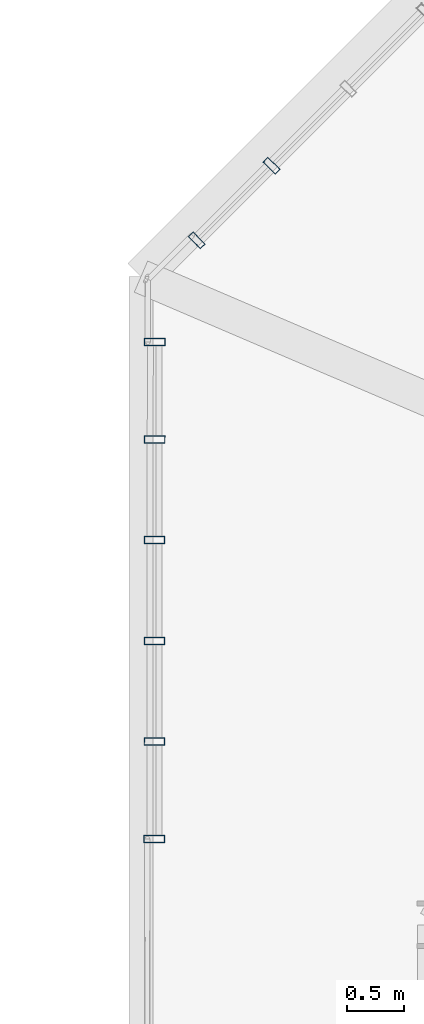
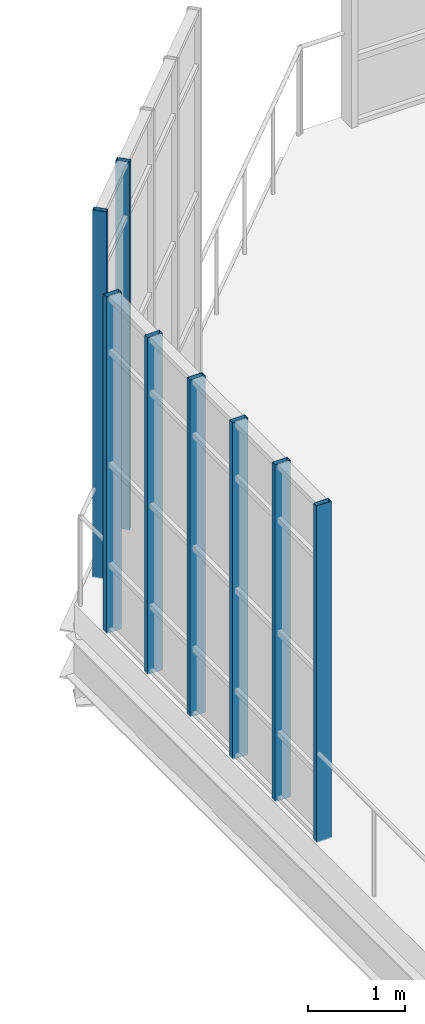
# One storey, part 39 of 189: 8 members, 2 elements without a shape of their own.
"""IFC4 building model written with IfcOpenShell, lengths in metres."""

from ifc_helpers import new_model, si_unit, direction, frame, origin, origin_2d, place, context, subcontext, project, spatial, hollow_rectangle, extrude, material, layer, layer_set, material_profile, profile_set, type_object, element, aggregate, save


model = new_model("IFC4")

# Units and contexts
model_context = context("Model", 3, precision=1e-05, world=origin(), true_north=direction((0.0, 1.0)))
body_context = subcontext(model_context, "Body", "Model", "MODEL_VIEW")
ifc_project = project(units=[si_unit("LENGTHUNIT", "METRE"), si_unit("AREAUNIT", "SQUARE_METRE"), si_unit("VOLUMEUNIT", "CUBIC_METRE"), si_unit("PLANEANGLEUNIT", "RADIAN"), si_unit("MASSUNIT", "GRAM", prefix="KILO"), si_unit("THERMODYNAMICTEMPERATUREUNIT", "KELVIN"), si_unit("POWERUNIT", "WATT")], contexts=[model_context])

# Site, building, storey
site_placement = place(None, origin())
site = spatial("IfcSite", under=ifc_project, at=site_placement, CompositionType="ELEMENT")
building_placement = place(site_placement, origin())
building = spatial("IfcBuilding", under=site, at=building_placement, Name="Zelmaris Science Centre", CompositionType="ELEMENT")
storey_placement = place(building_placement, origin())
storey = spatial("IfcBuildingStorey", under=building, at=storey_placement, Name="L00", CompositionType="ELEMENT", Elevation=0.0)

# Curtain wall, members
ifc_material = material(Name="Anodised architectural aluminium 6063-T6", Category="aluminium")
ifc_layer_1 = layer(ifc_material, 0.219970703125, Name="Anodised architectural aluminium 6063-T6")
ifc_layer_set_1 = layer_set([ifc_layer_1], Name="Anodised architectural aluminium 6063-T6")
curtain_wall_type_1 = type_object("IfcCurtainWallType", Name="Curtain Wall CW-04", PredefinedType="USERDEFINED", material=ifc_layer_set_1)
curtain_wall_1_placement = place(storey_placement, origin())
curtain_wall_1 = element("IfcCurtainWall", 1, at=curtain_wall_1_placement, inside=storey, type_object=curtain_wall_type_1, Name="L00 Unitised curtain wall 52", ObjectType="GLAZED CURTAIN WALL", PredefinedType="USERDEFINED")
ifc_material_profile_1 = material_profile(ifc_material, hollow_rectangle(XDim=0.06005859375, YDim=0.14990234375, WallThickness=0.00341796875, at=origin_2d()), Name="ALU-MUL-60X150")
ifc_profile_set_1 = profile_set([ifc_material_profile_1], Name="Anodised architectural aluminium 6063-T6")
member_type_1 = type_object("IfcMemberType", Name="ALU-MUL-60X150", PredefinedType="MULLION", material=ifc_profile_set_1)
member_1_placement = place(storey_placement, frame((64.485107421875, 45.815185546875, -0.014892578125), z_axis=(0.0, 0.0, 1.0), x_axis=(0.707184527363, 0.707029026461, 0.0)))
member_1 = element("IfcMember", 2, at=member_1_placement, type_object=member_type_1, Name="CW-04 mullion 1", PredefinedType="MULLION", context=body_context, shape_type="SweptSolid", body=[
    extrude(hollow_rectangle(XDim=0.06005859375, YDim=0.14990234375, WallThickness=0.00341796875, at=origin_2d()), origin(), (0.0, 0.0, 1.0), 4.614990234375),
])
member_2_placement = place(storey_placement, frame((65.135986328125, 46.4658203125, -0.014892578125), z_axis=(0.0, 0.0, 1.0), x_axis=(0.707184527363, 0.707029026461, 0.0)))
member_2 = element("IfcMember", 3, at=member_2_placement, type_object=member_type_1, Name="CW-04 mullion 2", PredefinedType="MULLION", context=body_context, shape_type="SweptSolid", body=[
    extrude(hollow_rectangle(XDim=0.06005859375, YDim=0.14990234375, WallThickness=0.00341796875, at=origin_2d()), origin(), (0.0, 0.0, 1.0), 4.614990234375),
])
aggregate(curtain_wall_1, [member_1, member_2])

ifc_layer_2 = layer(ifc_material, 0.2099609375, Name="Anodised architectural aluminium 6063-T6")
ifc_layer_set_2 = layer_set([ifc_layer_2], Name="Anodised architectural aluminium 6063-T6")
curtain_wall_type_2 = type_object("IfcCurtainWallType", Name="Curtain Wall CW-03", PredefinedType="USERDEFINED", material=ifc_layer_set_2)
curtain_wall_2_placement = place(storey_placement, origin())
curtain_wall_2 = element("IfcCurtainWall", 4, at=curtain_wall_2_placement, inside=storey, type_object=curtain_wall_type_2, Name="L00 Unitised curtain wall 51", ObjectType="GLAZED CURTAIN WALL", PredefinedType="USERDEFINED")
ifc_material_profile_2 = material_profile(ifc_material, hollow_rectangle(XDim=0.06494140625, YDim=0.179931640625, WallThickness=0.00390625, at=origin_2d()), Name="ALU-MUL-65X180")
ifc_profile_set_2 = profile_set([ifc_material_profile_2], Name="Anodised architectural aluminium 6063-T6")
member_type_2 = type_object("IfcMemberType", Name="ALU-MUL-65X180", PredefinedType="MULLION", material=ifc_profile_set_2)
member_3_placement = place(storey_placement, frame((64.115478515625, 40.602294921875, -0.014892578125), z_axis=(0.0, 0.0, 1.0), x_axis=(0.000945968313, 0.999999552572, 0.0)))
member_3 = element("IfcMember", 5, at=member_3_placement, type_object=member_type_2, Name="CW-03 mullion 1", PredefinedType="MULLION", context=body_context, shape_type="SweptSolid", body=[
    extrude(hollow_rectangle(XDim=0.06494140625, YDim=0.179931640625, WallThickness=0.00390625, at=origin_2d()), origin(), (0.0, 0.0, 1.0), 4.22900390625),
])
member_4_placement = place(storey_placement, frame((64.1162109375, 41.451171875, -0.014892578125), z_axis=(0.0, 0.0, 1.0), x_axis=(0.000945968313, 0.999999552572, 0.0)))
member_4 = element("IfcMember", 6, at=member_4_placement, type_object=member_type_2, Name="CW-03 mullion 2", PredefinedType="MULLION", context=body_context, shape_type="SweptSolid", body=[
    extrude(hollow_rectangle(XDim=0.06494140625, YDim=0.179931640625, WallThickness=0.00390625, at=origin_2d()), origin(), (0.0, 0.0, 1.0), 4.22900390625),
])
member_5_placement = place(storey_placement, frame((64.1171875, 42.328369140625, -0.014892578125), z_axis=(0.0, 0.0, 1.0), x_axis=(0.000945968313, 0.999999552572, 0.0)))
member_5 = element("IfcMember", 7, at=member_5_placement, type_object=member_type_2, Name="CW-03 mullion 3", PredefinedType="MULLION", context=body_context, shape_type="SweptSolid", body=[
    extrude(hollow_rectangle(XDim=0.06494140625, YDim=0.179931640625, WallThickness=0.00390625, at=origin_2d()), origin(), (0.0, 0.0, 1.0), 4.22900390625),
])
member_6_placement = place(storey_placement, frame((64.117919921875, 43.20556640625, -0.014892578125), z_axis=(0.0, 0.0, 1.0), x_axis=(0.000945968313, 0.999999552572, 0.0)))
member_6 = element("IfcMember", 8, at=member_6_placement, type_object=member_type_2, Name="CW-03 mullion 4", PredefinedType="MULLION", context=body_context, shape_type="SweptSolid", body=[
    extrude(hollow_rectangle(XDim=0.06494140625, YDim=0.179931640625, WallThickness=0.00390625, at=origin_2d()), origin(), (0.0, 0.0, 1.0), 4.22900390625),
])
member_7_placement = place(storey_placement, frame((64.11865234375, 44.082763671875, -0.014892578125), z_axis=(0.0, 0.0, 1.0), x_axis=(0.000945968313, 0.999999552572, 0.0)))
member_7 = element("IfcMember", 9, at=member_7_placement, type_object=member_type_2, Name="CW-03 mullion 5", PredefinedType="MULLION", context=body_context, shape_type="SweptSolid", body=[
    extrude(hollow_rectangle(XDim=0.06494140625, YDim=0.179931640625, WallThickness=0.00390625, at=origin_2d()), origin(), (0.0, 0.0, 1.0), 4.22900390625),
])
member_8_placement = place(storey_placement, frame((64.11962890625, 44.931396484375, -0.014892578125), z_axis=(0.0, 0.0, 1.0), x_axis=(0.000945968313, 0.999999552572, 0.0)))
member_8 = element("IfcMember", 10, at=member_8_placement, type_object=member_type_2, Name="CW-03 mullion 6", PredefinedType="MULLION", context=body_context, shape_type="SweptSolid", body=[
    extrude(hollow_rectangle(XDim=0.06494140625, YDim=0.179931640625, WallThickness=0.00390625, at=origin_2d()), origin(), (0.0, 0.0, 1.0), 4.22900390625),
])
aggregate(curtain_wall_2, [member_3, member_4, member_5, member_6, member_7, member_8])

save(model, "model.ifc")
